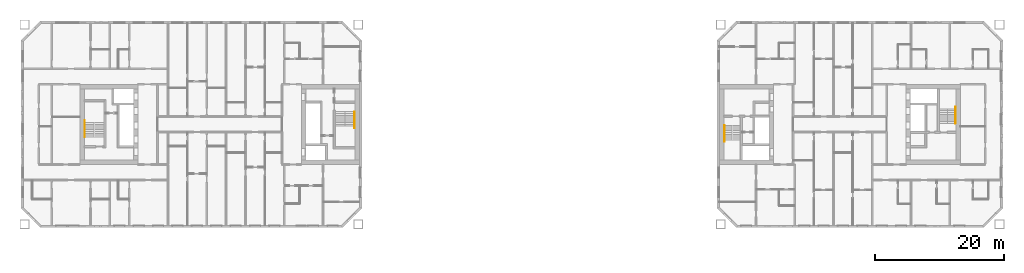
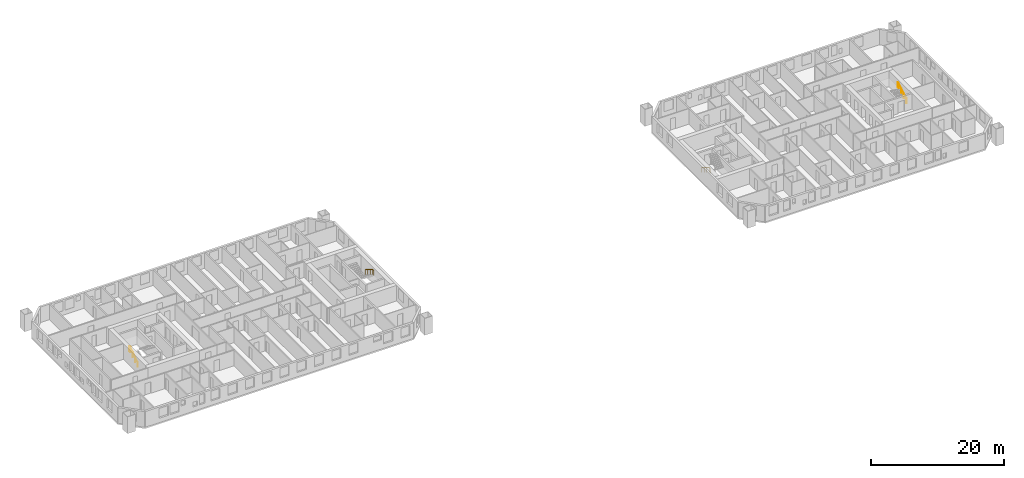
# One storey, part 17 of 17: 4 railings.
"""IFC4 building model written with IfcOpenShell, lengths in metres."""

from ifc_helpers import new_model, si_unit, direction, frame, origin, origin_2d, place, context, subcontext, project, spatial, circle, extrude, material, type_object, element, save


model = new_model("IFC4")

# Units and contexts
model_context = context("Model", 3, precision=1e-05, world=origin(), true_north=direction((0.0, 1.0)))
body_context = subcontext(model_context, "Body", "Model", "MODEL_VIEW")
ifc_project = project(units=[si_unit("LENGTHUNIT", "METRE"), si_unit("AREAUNIT", "SQUARE_METRE"), si_unit("VOLUMEUNIT", "CUBIC_METRE"), si_unit("PLANEANGLEUNIT", "RADIAN"), si_unit("MASSUNIT", "GRAM", prefix="KILO")], contexts=[model_context])

# Site, building, storey
site_placement = place(None, origin())
site = spatial("IfcSite", under=ifc_project, at=site_placement, CompositionType="ELEMENT")
building_placement = place(site_placement, origin())
building = spatial("IfcBuilding", under=site, at=building_placement, Name="Tuart Gate Housing", CompositionType="ELEMENT")
storey_placement = place(building_placement, frame((0.0, 0.0, 74.699951171875)))
storey = spatial("IfcBuildingStorey", under=building, at=storey_placement, Name="L20", CompositionType="ELEMENT", Elevation=74.699951171875)

# Railings
ifc_material = material(Name="Stainless steel", Category="steel")
railing_type = type_object("IfcRailingType", Name="Stair handrail 900", PredefinedType="HANDRAIL", material=ifc_material)
railing_1_placement = place(storey_placement, frame((74.8798828125, 71.949951171875, 0.17236328125)))
element("IfcRailing", 1, at=railing_1_placement, inside=storey, type_object=railing_type, Name="Stair handrail SA1.1", PredefinedType="HANDRAIL", context=body_context, shape_type="SweptSolid", body=[
    extrude(circle(Radius=0.02392578125, at=origin_2d()), frame((0.0, 0.0, 0.8759765625), z_axis=(0.0, -0.85178898068, 0.523885037382), x_axis=(1.0, 0.0, 0.0)), (0.0, 0.0, 1.0), 2.629638671875),
    extrude(circle(Radius=0.02392578125, at=origin_2d()), frame((0.0, -2.239990234375, 2.25341796875), z_axis=(0.0, -1.0, 0.0), x_axis=(1.0, 0.0, 0.0)), (0.0, 0.0, 1.0), 0.300048828125),
    extrude(circle(Radius=0.02099609375, at=origin_2d()), origin(), (0.0, 0.0, 1.0), 0.851806640625),
    extrude(circle(Radius=0.02099609375, at=origin_2d()), frame((0.0, -0.74658203125, 0.459228515625)), (0.0, 0.0, 1.0), 0.851806640625),
    extrude(circle(Radius=0.02099609375, at=origin_2d()), frame((0.0, -1.493408203125, 0.91845703125)), (0.0, 0.0, 1.0), 0.851806640625),
    extrude(circle(Radius=0.02099609375, at=origin_2d()), frame((0.0, -2.239990234375, 1.377685546875)), (0.0, 0.0, 1.0), 0.851806640625),
    extrude(circle(Radius=0.02099609375, at=origin_2d()), frame((0.0, -2.5400390625, 1.377685546875)), (0.0, 0.0, 1.0), 0.851806640625),
])
railing_2_placement = place(storey_placement, frame((33.1201171875, 68.050048828125, 0.17236328125)))
element("IfcRailing", 2, at=railing_2_placement, inside=storey, type_object=railing_type, Name="Stair handrail SA2.1", PredefinedType="HANDRAIL", context=body_context, shape_type="SweptSolid", body=[
    extrude(circle(Radius=0.02392578125, at=origin_2d()), frame((0.0, 0.0, 0.8759765625), z_axis=(0.0, 0.85178898068, 0.523885037382), x_axis=(-1.0, 0.0, 0.0)), (0.0, 0.0, 1.0), 2.629638671875),
    extrude(circle(Radius=0.02392578125, at=origin_2d()), frame((0.0, 2.239990234375, 2.25341796875), z_axis=(0.0, 1.0, 0.0), x_axis=(-1.0, 0.0, 0.0)), (0.0, 0.0, 1.0), 0.300048828125),
    extrude(circle(Radius=0.02099609375, at=origin_2d()), origin(), (0.0, 0.0, 1.0), 0.851806640625),
    extrude(circle(Radius=0.02099609375, at=origin_2d()), frame((0.0, 0.74658203125, 0.459228515625)), (0.0, 0.0, 1.0), 0.851806640625),
    extrude(circle(Radius=0.02099609375, at=origin_2d()), frame((0.0, 1.493408203125, 0.91845703125)), (0.0, 0.0, 1.0), 0.851806640625),
    extrude(circle(Radius=0.02099609375, at=origin_2d()), frame((0.0, 2.239990234375, 1.377685546875)), (0.0, 0.0, 1.0), 0.851806640625),
    extrude(circle(Radius=0.02099609375, at=origin_2d()), frame((0.0, 2.5400390625, 1.377685546875)), (0.0, 0.0, 1.0), 0.851806640625),
])
railing_3_placement = place(storey_placement, frame((132.1201171875, 69.85009765625, 0.17236328125)))
element("IfcRailing", 3, at=railing_3_placement, inside=storey, type_object=railing_type, Name="Stair handrail SB1.1", PredefinedType="HANDRAIL", context=body_context, shape_type="SweptSolid", body=[
    extrude(circle(Radius=0.02392578125, at=origin_2d()), frame((0.0, 0.0, 0.8759765625), z_axis=(0.0, -0.85178898068, 0.523885037382), x_axis=(1.0, 0.0, 0.0)), (0.0, 0.0, 1.0), 2.629638671875),
    extrude(circle(Radius=0.02392578125, at=origin_2d()), frame((0.0, -2.239990234375, 2.25341796875), z_axis=(0.0, -1.0, 0.0), x_axis=(1.0, 0.0, 0.0)), (0.0, 0.0, 1.0), 0.300048828125),
    extrude(circle(Radius=0.02099609375, at=origin_2d()), origin(), (0.0, 0.0, 1.0), 0.851806640625),
    extrude(circle(Radius=0.02099609375, at=origin_2d()), frame((0.0, -0.74658203125, 0.459228515625)), (0.0, 0.0, 1.0), 0.851806640625),
    extrude(circle(Radius=0.02099609375, at=origin_2d()), frame((0.0, -1.493408203125, 0.91845703125)), (0.0, 0.0, 1.0), 0.851806640625),
    extrude(circle(Radius=0.02099609375, at=origin_2d()), frame((0.0, -2.239990234375, 1.377685546875)), (0.0, 0.0, 1.0), 0.851806640625),
    extrude(circle(Radius=0.02099609375, at=origin_2d()), frame((0.0, -2.5400390625, 1.377685546875)), (0.0, 0.0, 1.0), 0.851806640625),
])
railing_4_placement = place(storey_placement, frame((167.8798828125, 70.14990234375, 0.17236328125)))
element("IfcRailing", 4, at=railing_4_placement, inside=storey, type_object=railing_type, Name="Stair handrail SB2.1", PredefinedType="HANDRAIL", context=body_context, shape_type="SweptSolid", body=[
    extrude(circle(Radius=0.02392578125, at=origin_2d()), frame((0.0, 0.0, 0.8759765625), z_axis=(0.0, 0.85178898068, 0.523885037382), x_axis=(-1.0, 0.0, 0.0)), (0.0, 0.0, 1.0), 2.629638671875),
    extrude(circle(Radius=0.02392578125, at=origin_2d()), frame((0.0, 2.239990234375, 2.25341796875), z_axis=(0.0, 1.0, 0.0), x_axis=(-1.0, 0.0, 0.0)), (0.0, 0.0, 1.0), 0.300048828125),
    extrude(circle(Radius=0.02099609375, at=origin_2d()), origin(), (0.0, 0.0, 1.0), 0.851806640625),
    extrude(circle(Radius=0.02099609375, at=origin_2d()), frame((0.0, 0.74658203125, 0.459228515625)), (0.0, 0.0, 1.0), 0.851806640625),
    extrude(circle(Radius=0.02099609375, at=origin_2d()), frame((0.0, 1.493408203125, 0.91845703125)), (0.0, 0.0, 1.0), 0.851806640625),
    extrude(circle(Radius=0.02099609375, at=origin_2d()), frame((0.0, 2.239990234375, 1.377685546875)), (0.0, 0.0, 1.0), 0.851806640625),
    extrude(circle(Radius=0.02099609375, at=origin_2d()), frame((0.0, 2.5400390625, 1.377685546875)), (0.0, 0.0, 1.0), 0.851806640625),
])

save(model, "model.ifc")
